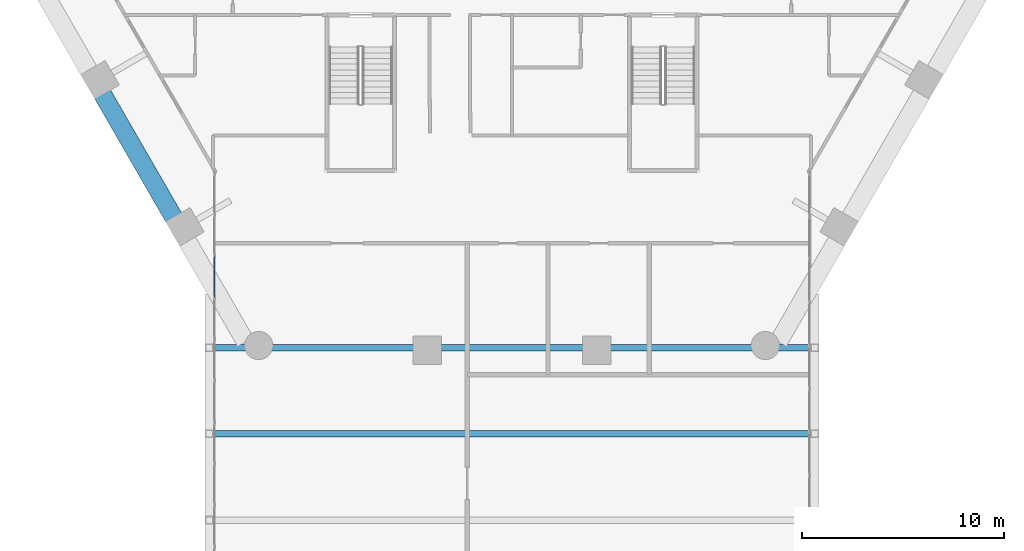
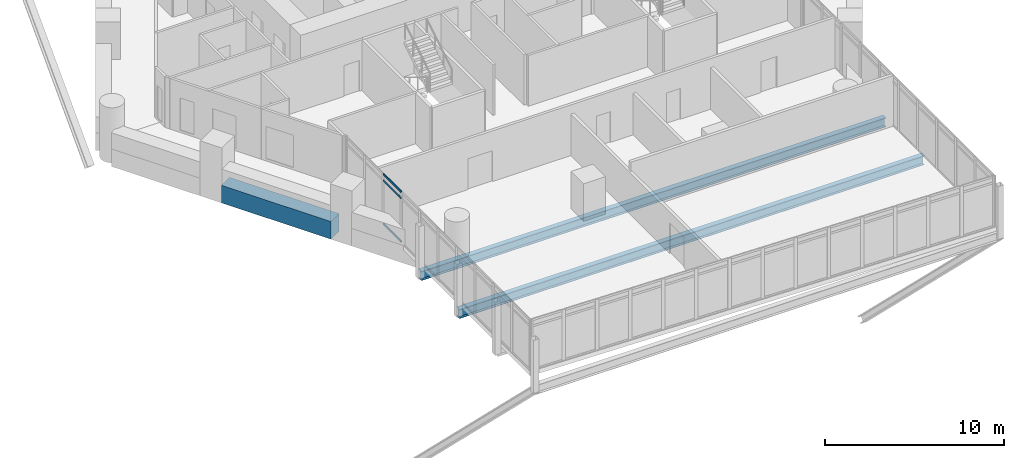
# One storey, part 10 of 38: 3 beams, 3 members, 1 element without a shape of its own.
"""IFC4 building model written with IfcOpenShell, lengths in metres."""

from ifc_helpers import new_model, si_unit, direction, frame, origin, origin_2d, place, context, subcontext, project, spatial, rectangle, hollow_rectangle, i_section, extrude, material, material_profile, profile_set, type_object, element, aggregate, save


model = new_model("IFC4")

# Units and contexts
model_context = context("Model", 3, precision=1e-05, world=origin(), true_north=direction((0.0, 1.0)))
body_context = subcontext(model_context, "Body", "Model", "MODEL_VIEW")
ifc_project = project(units=[si_unit("LENGTHUNIT", "METRE"), si_unit("AREAUNIT", "SQUARE_METRE"), si_unit("VOLUMEUNIT", "CUBIC_METRE"), si_unit("PLANEANGLEUNIT", "RADIAN"), si_unit("MASSUNIT", "GRAM", prefix="KILO")], contexts=[model_context])

# Site, building, storey
site_placement = place(None, origin())
site = spatial("IfcSite", under=ifc_project, at=site_placement, CompositionType="ELEMENT")
building_placement = place(site_placement, origin())
building = spatial("IfcBuilding", under=site, at=building_placement, Name="Ostrander Bayou Hotel Tower", CompositionType="ELEMENT")
storey_placement = place(building_placement, frame((0.0, 0.0, 65.5)))
storey = spatial("IfcBuildingStorey", under=building, at=storey_placement, Name="L16", CompositionType="ELEMENT", Elevation=65.5)

# Curtain wall, members
ifc_material_1 = material(Name="Aluminium and clear glass", Category="aluminium")
curtain_wall_type = type_object("IfcCurtainWallType", Name="CW-BAR glazed wall", PredefinedType="NOTDEFINED", material=ifc_material_1)
curtain_wall_placement = place(storey_placement, origin())
curtain_wall = element("IfcCurtainWall", 1, at=curtain_wall_placement, inside=storey, type_object=curtain_wall_type, Name="CW-BAR L16:SB1S:E", PredefinedType="NOTDEFINED")
ifc_material_2 = material(Name="Aluminium", Category="aluminium")
ifc_material_profile_1 = material_profile(ifc_material_2, hollow_rectangle(XDim=0.06005859375, YDim=0.1298828125, WallThickness=0.00390625, at=origin_2d()))
ifc_profile_set_1 = profile_set([ifc_material_profile_1], Name="Aluminium")
member_type = type_object("IfcMemberType", Name="CW-BR transom 60 x 130 mm", PredefinedType="USERDEFINED", material=ifc_profile_set_1)
member_1_placement = place(storey_placement, frame((-14.712158203125, -15.654541015625, 0.030029296875), z_axis=(0.0, -1.0, 0.0), x_axis=(1.0, 0.0, 0.0)))
member_1 = element("IfcMember", 2, at=member_1_placement, type_object=member_type, Name="CW-BAR transom 3.1", ObjectType="TRANSOM", PredefinedType="USERDEFINED", context=body_context, shape_type="SweptSolid", body=[
    extrude(hollow_rectangle(XDim=0.06005859375, YDim=0.1298828125, WallThickness=0.00390625, at=origin_2d()), origin(), (0.0, 0.0, 1.0), 1.993408203125),
])
member_2_placement = place(storey_placement, frame((-14.712158203125, -15.654541015625, 3.0), z_axis=(0.0, -1.0, 0.0), x_axis=(1.0, 0.0, 0.0)))
member_2 = element("IfcMember", 3, at=member_2_placement, type_object=member_type, Name="CW-BAR transom 3.2", ObjectType="TRANSOM", PredefinedType="USERDEFINED", context=body_context, shape_type="SweptSolid", body=[
    extrude(hollow_rectangle(XDim=0.06005859375, YDim=0.1298828125, WallThickness=0.00390625, at=origin_2d()), origin(), (0.0, 0.0, 1.0), 1.993408203125),
])
member_3_placement = place(storey_placement, frame((-14.712158203125, -15.654541015625, 3.419921875), z_axis=(0.0, -1.0, 0.0), x_axis=(1.0, 0.0, 0.0)))
member_3 = element("IfcMember", 4, at=member_3_placement, type_object=member_type, Name="CW-BAR transom 3.3", ObjectType="TRANSOM", PredefinedType="USERDEFINED", context=body_context, shape_type="SweptSolid", body=[
    extrude(hollow_rectangle(XDim=0.06005859375, YDim=0.1298828125, WallThickness=0.00390625, at=origin_2d()), origin(), (0.0, 0.0, 1.0), 1.993408203125),
])
aggregate(curtain_wall, [member_1, member_2, member_3])

# Beams
ifc_material_3 = material(Name="Concrete f'c 70 MPa", Category="concrete")
ifc_material_profile_2 = material_profile(ifc_material_3, rectangle(XDim=0.89990234375, YDim=1.199951171875, at=origin_2d()))
ifc_profile_set_2 = profile_set([ifc_material_profile_2], Name="Concrete f'c 70 MPa")
beam_type_1 = type_object("IfcBeamType", Name="SP1 spandrel beam 900 x 1200 mm f'c 70 MPa", PredefinedType="SPANDREL", material=ifc_profile_set_2)
beam_placement = place(storey_placement, frame((-20.252197265625, -7.621826171875, -0.60009765625), z_axis=(0.499997206141, -0.866027016814, 0.0), x_axis=(0.866027016814, 0.499997206141, 0.0)))
element("IfcBeam", 5, at=beam_placement, inside=storey, type_object=beam_type_1, Name="SP1 L16 SW-2", PredefinedType="SPANDREL", context=body_context, shape_type="SweptSolid", body=[
    extrude(rectangle(XDim=0.89990234375, YDim=1.199951171875, at=origin_2d()), origin(), (0.0, 0.0, 1.0), 7.05078125),
])
ifc_material_4 = material(Name="Steel ASTM A992", Category="steel")
ifc_material_profile_3 = material_profile(ifc_material_4, i_section(OverallWidth=0.32763671875, OverallDepth=0.621826171875, WebThickness=0.015380859375, FlangeThickness=0.0244140625, at=origin_2d()))
ifc_profile_set_3 = profile_set([ifc_material_profile_3], Name="Steel ASTM A992")
beam_type_2 = type_object("IfcBeamType", Name="TF1 bar floor beam W24x131", PredefinedType="BEAM", material=ifc_profile_set_3)
for number, where, z_axis, x_axis, name in (
    (6, (-14.965087890625, -20.162841796875, -0.61083984375), (1.0, 0.0, 0.0), (0.0, 1.0, 0.0), "TF1 SB1S L1-1"),
    (7, (-14.965087890625, -24.42529296875, -0.61083984375), (1.0, 0.0, 0.0), (0.0, 1.0, 0.0), "TF1 SB1S L1-2"),
):
    element("IfcBeam", number, at=place(storey_placement, frame(where, z_axis=z_axis, x_axis=x_axis)), inside=storey, type_object=beam_type_2, Name=name, PredefinedType="BEAM", context=body_context, shape_type="SweptSolid", body=[
        extrude(i_section(OverallWidth=0.32763671875, OverallDepth=0.621826171875, WebThickness=0.015380859375, FlangeThickness=0.0244140625, at=origin_2d()), origin(), (0.0, 0.0, 1.0), 29.93017578125),
    ])

save(model, "model.ifc")
